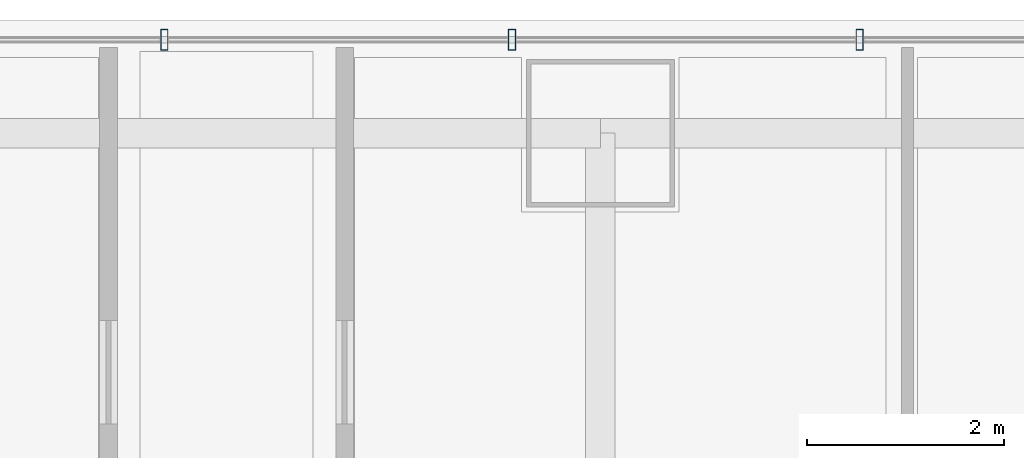
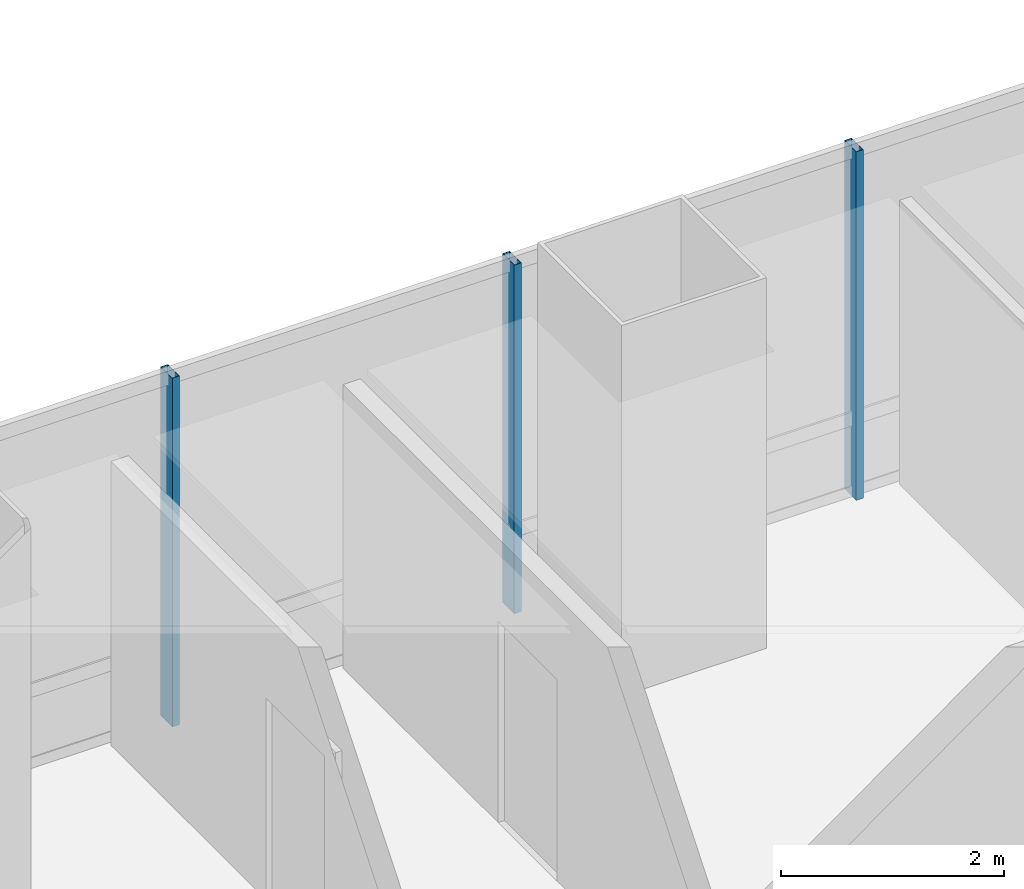
# One storey, part 23 of 36: 3 members, 1 element without a shape of its own.
"""IFC4 building model written with IfcOpenShell, lengths in metres."""

from ifc_helpers import new_model, si_unit, direction, frame, origin, origin_2d, place, context, subcontext, project, spatial, hollow_rectangle, extrude, material, material_profile, profile_set, type_object, element, aggregate, save


model = new_model("IFC4")

# Units and contexts
model_context = context("Model", 3, precision=1e-05, world=origin(), true_north=direction((0.0, 1.0)))
body_context = subcontext(model_context, "Body", "Model", "MODEL_VIEW")
ifc_project = project(units=[si_unit("LENGTHUNIT", "METRE"), si_unit("AREAUNIT", "SQUARE_METRE"), si_unit("VOLUMEUNIT", "CUBIC_METRE"), si_unit("PLANEANGLEUNIT", "RADIAN"), si_unit("MASSUNIT", "GRAM", prefix="KILO")], contexts=[model_context])

# Site, building, storey
site_placement = place(None, origin())
site = spatial("IfcSite", under=ifc_project, at=site_placement, CompositionType="ELEMENT")
building_placement = place(site_placement, origin())
building = spatial("IfcBuilding", under=site, at=building_placement, Name="Punatoya Terracotta Tower", CompositionType="ELEMENT")
storey_placement = place(building_placement, frame((0.0, 0.0, 40.35009765625)))
storey = spatial("IfcBuildingStorey", under=building, at=storey_placement, Name="L08", CompositionType="ELEMENT", Elevation=40.35009765625)

# Curtain wall, members
ifc_material_1 = material(Name="Aluminium 6063-T6 + Double Low-E Glass", Category="aluminium")
curtain_wall_type = type_object("IfcCurtainWallType", Name="CW-M1", PredefinedType="NOTDEFINED", material=ifc_material_1)
curtain_wall_placement = place(storey_placement, origin())
curtain_wall = element("IfcCurtainWall", 1, at=curtain_wall_placement, inside=storey, type_object=curtain_wall_type, Name="L08 Curtain Wall CW-L08-N09-1", PredefinedType="NOTDEFINED")
ifc_material_2 = material(Name="Aluminium 6063-T6", Category="aluminium")
ifc_material_profile = material_profile(ifc_material_2, hollow_rectangle(XDim=0.074951171875, YDim=0.2099609375, WallThickness=0.00439453125, at=origin_2d()))
ifc_profile_set = profile_set([ifc_material_profile], Name="Aluminium 6063-T6")
member_type = type_object("IfcMemberType", Name="CW-MUL-M1", PredefinedType="MULLION", material=ifc_profile_set)
member_1_placement = place(storey_placement, frame((6.43505859375, 18.449951171875, 0.0), z_axis=(0.0, 0.0, 1.0), x_axis=(1.0, 0.0, 0.0)))
member_1 = element("IfcMember", 2, at=member_1_placement, type_object=member_type, Name="CW-L08-N09-1 Mullion 03", PredefinedType="MULLION", context=body_context, shape_type="SweptSolid", body=[
    extrude(hollow_rectangle(XDim=0.074951171875, YDim=0.2099609375, WallThickness=0.00439453125, at=origin_2d()), origin(), (0.0, 0.0, 1.0), 3.809814453125),
])
member_2_placement = place(storey_placement, frame((2.90087890625, 18.449951171875, 0.0), z_axis=(0.0, 0.0, 1.0), x_axis=(1.0, 0.0, 0.0)))
member_2 = element("IfcMember", 3, at=member_2_placement, type_object=member_type, Name="CW-L08-N09-1 Mullion 04", PredefinedType="MULLION", context=body_context, shape_type="SweptSolid", body=[
    extrude(hollow_rectangle(XDim=0.074951171875, YDim=0.2099609375, WallThickness=0.00439453125, at=origin_2d()), origin(), (0.0, 0.0, 1.0), 3.809814453125),
])
member_3_placement = place(storey_placement, frame((-0.633056640625, 18.449951171875, 0.0), z_axis=(0.0, 0.0, 1.0), x_axis=(1.0, 0.0, 0.0)))
member_3 = element("IfcMember", 4, at=member_3_placement, type_object=member_type, Name="CW-L08-N09-1 Mullion 05", PredefinedType="MULLION", context=body_context, shape_type="SweptSolid", body=[
    extrude(hollow_rectangle(XDim=0.074951171875, YDim=0.2099609375, WallThickness=0.00439453125, at=origin_2d()), origin(), (0.0, 0.0, 1.0), 3.809814453125),
])
aggregate(curtain_wall, [member_1, member_2, member_3])

save(model, "model.ifc")
